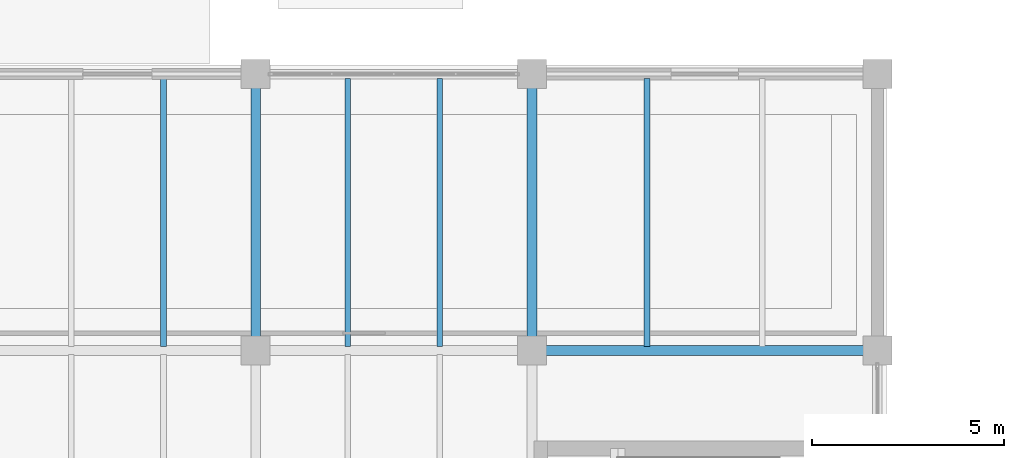
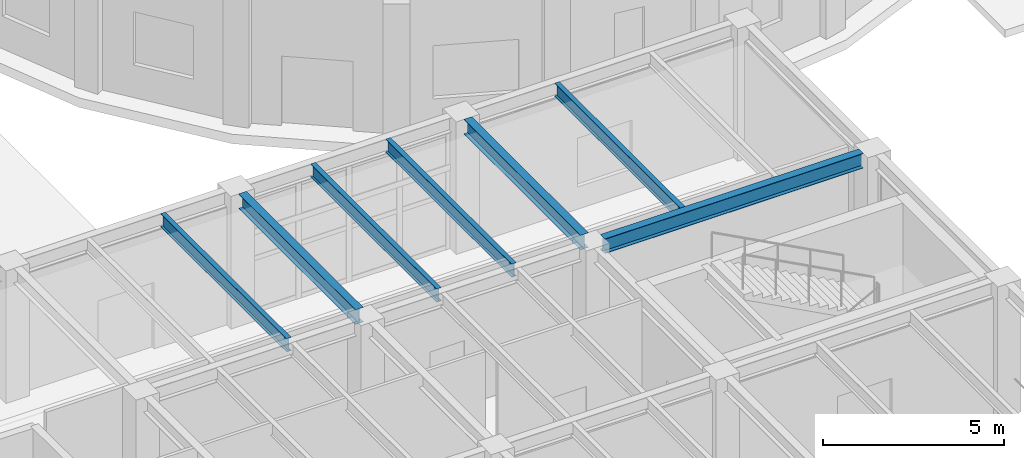
# One storey, part 17 of 39: 7 beams.
"""IFC4 building model written with IfcOpenShell, lengths in metres."""

from ifc_helpers import new_model, si_unit, direction, frame, origin, origin_2d, place, context, subcontext, project, spatial, i_section, extrude, material, material_profile, profile_set, type_object, element, save


model = new_model("IFC4")

# Units and contexts
model_context = context("Model", 3, precision=1e-05, world=origin(), true_north=direction((0.0, 1.0)))
body_context = subcontext(model_context, "Body", "Model", "MODEL_VIEW")
ifc_project = project(units=[si_unit("LENGTHUNIT", "METRE"), si_unit("AREAUNIT", "SQUARE_METRE"), si_unit("VOLUMEUNIT", "CUBIC_METRE"), si_unit("PLANEANGLEUNIT", "RADIAN"), si_unit("MASSUNIT", "GRAM", prefix="KILO")], contexts=[model_context])

# Site, building, storey
site_placement = place(None, origin())
site = spatial("IfcSite", under=ifc_project, at=site_placement, CompositionType="ELEMENT")
building_placement = place(site_placement, origin())
building = spatial("IfcBuilding", under=site, at=building_placement, Name="Kandorven Conservatory and Botanical Research Centre", CompositionType="ELEMENT")
storey_placement = place(building_placement, origin())
storey = spatial("IfcBuildingStorey", under=building, at=storey_placement, Name="L00", CompositionType="ELEMENT", Elevation=0.0)

# Beams
ifc_material_1 = material(Name="Steel S355 (IS 2062 E350)", Category="steel")
ifc_material_profile_1 = material_profile(ifc_material_1, i_section(OverallWidth=0.25, OverallDepth=0.5, WebThickness=0.010009765625, FlangeThickness=0.0146484375, at=origin_2d()))
ifc_profile_set_1 = profile_set([ifc_material_profile_1], Name="Steel S355 (IS 2062 E350)")
beam_type_1 = type_object("IfcBeamType", Name="Beam_FG-02", PredefinedType="USERDEFINED", material=ifc_profile_set_1)
beam_placement = place(storey_placement, frame((78.364990234375, 20.39990234375, 4.22998046875), z_axis=(1.0, 0.0, 0.0), x_axis=(0.0, 1.0, 0.0)))
element("IfcBeam", 1, at=beam_placement, inside=storey, type_object=beam_type_1, Name="Primary girder FG-02 VIS L00", ObjectType="GIRDER", PredefinedType="USERDEFINED", context=body_context, shape_type="SweptSolid", body=[
    extrude(i_section(OverallWidth=0.25, OverallDepth=0.5, WebThickness=0.010009765625, FlangeThickness=0.0146484375, at=origin_2d()), origin(), (0.0, 0.0, 1.0), 8.27001953125),
])
for number, where, z_axis, x_axis, name in (
    (2, (70.800048828125, 20.764892578125, 4.22998046875), (0.0, 1.0, 0.0), (-1.0, 0.0, 0.0), "Primary girder FG-02 VIS L00"),
    (3, (78.0, 20.764892578125, 4.22998046875), (0.0, 1.0, 0.0), (-1.0, 0.0, 0.0), "Primary girder FG-02 VIS L00"),
):
    element("IfcBeam", number, at=place(storey_placement, frame(where, z_axis=z_axis, x_axis=x_axis)), inside=storey, type_object=beam_type_1, Name=name, ObjectType="GIRDER", PredefinedType="USERDEFINED", context=body_context, shape_type="SweptSolid", body=[
        extrude(i_section(OverallWidth=0.25, OverallDepth=0.5, WebThickness=0.010009765625, FlangeThickness=0.0146484375, at=origin_2d()), origin(), (0.0, 0.0, 1.0), 6.47021484375),
    ])
ifc_material_2 = material(Name="Steel S355 (IS 2062 E350)", Category="steel")
ifc_material_profile_2 = material_profile(ifc_material_2, i_section(OverallWidth=0.14990234375, OverallDepth=0.449951171875, WebThickness=0.009521484375, FlangeThickness=0.017333984375, at=origin_2d()))
ifc_profile_set_2 = profile_set([ifc_material_profile_2], Name="Steel S355 (IS 2062 E350)")
beam_type_2 = type_object("IfcBeamType", Name="Beam_SB-04", PredefinedType="BEAM", material=ifc_profile_set_2)
for number, where, z_axis, x_axis, name in (
    (4, (68.39990234375, 20.510009765625, 4.2548828125), (0.0, 1.0, 0.0), (-1.0, 0.0, 0.0), "Composite secondary beam SB-04 VIS L00"),
    (5, (73.199951171875, 20.510009765625, 4.2548828125), (0.0, 1.0, 0.0), (-1.0, 0.0, 0.0), "Composite secondary beam SB-04 VIS L00"),
    (6, (75.60009765625, 20.510009765625, 4.2548828125), (0.0, 1.0, 0.0), (-1.0, 0.0, 0.0), "Composite secondary beam SB-04 VIS L00"),
    (7, (81.0, 20.510009765625, 4.2548828125), (0.0, 1.0, 0.0), (-1.0, 0.0, 0.0), "Composite secondary beam SB-04 VIS L00"),
):
    element("IfcBeam", number, at=place(storey_placement, frame(where, z_axis=z_axis, x_axis=x_axis)), inside=storey, type_object=beam_type_2, Name=name, PredefinedType="BEAM", context=body_context, shape_type="SweptSolid", body=[
        extrude(i_section(OverallWidth=0.14990234375, OverallDepth=0.449951171875, WebThickness=0.009521484375, FlangeThickness=0.017333984375, at=origin_2d()), origin(), (0.0, 0.0, 1.0), 6.97998046875),
    ])

save(model, "model.ifc")
